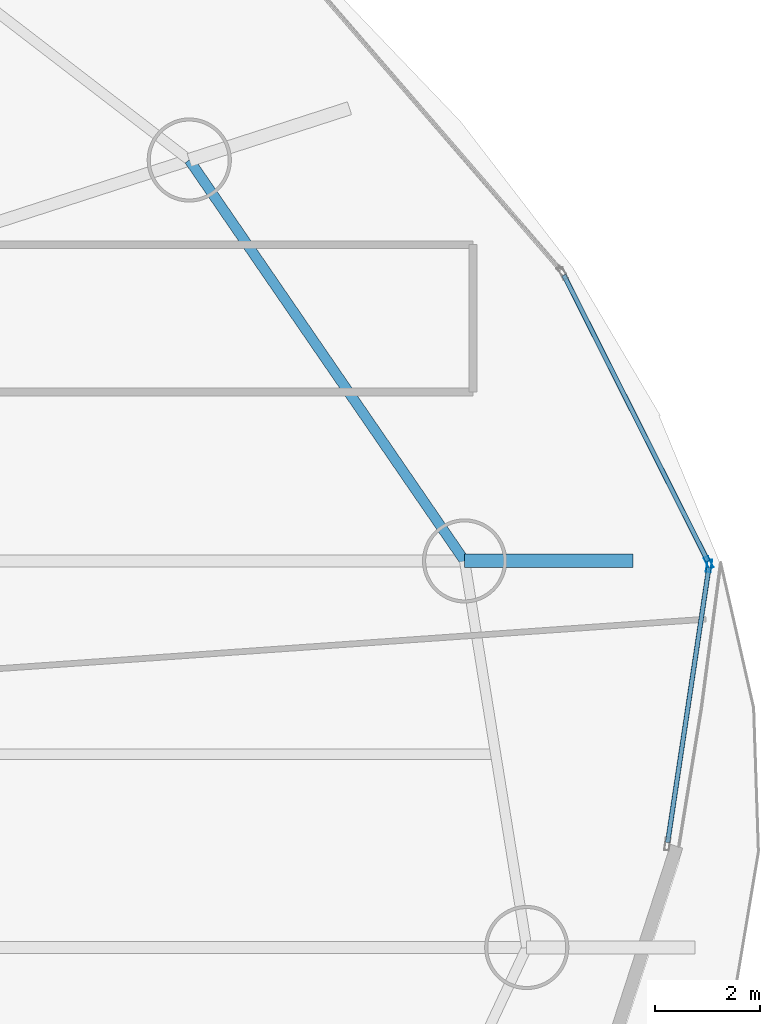
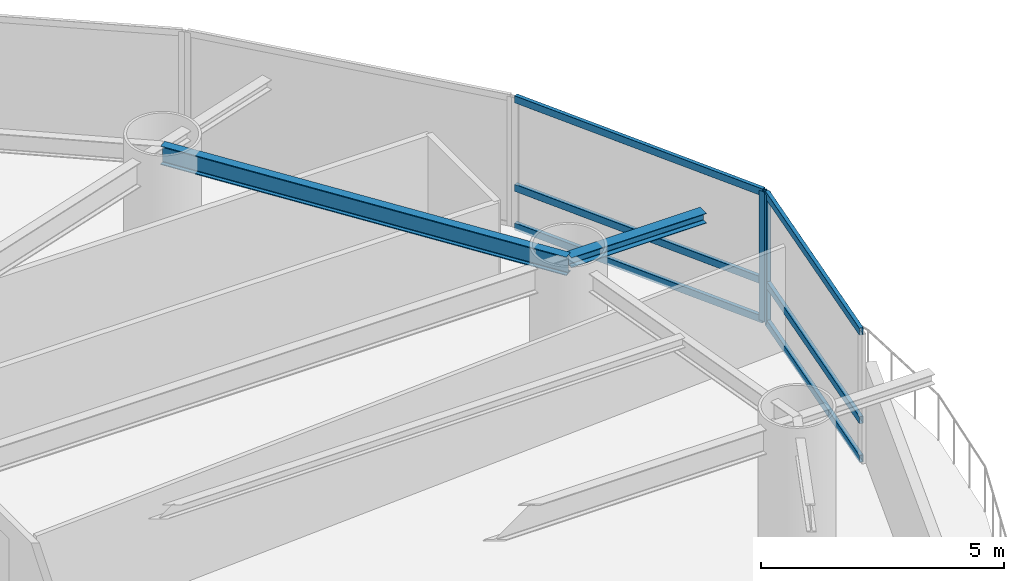
# One storey, part 10 of 26: 8 members, 2 beams, 2 elements without a shape of their own.
"""IFC4 building model written with IfcOpenShell, lengths in metres."""

from ifc_helpers import new_model, si_unit, direction, frame, origin, origin_2d, place, context, subcontext, project, spatial, hollow_rectangle, i_section, extrude, material, layer, layer_set, material_profile, profile_set, type_object, element, aggregate, save


model = new_model("IFC4")

# Units and contexts
model_context = context("Model", 3, precision=1e-05, world=origin(), true_north=direction((0.0, 1.0)))
body_context = subcontext(model_context, "Body", "Model", "MODEL_VIEW")
ifc_project = project(units=[si_unit("LENGTHUNIT", "METRE"), si_unit("AREAUNIT", "SQUARE_METRE"), si_unit("VOLUMEUNIT", "CUBIC_METRE"), si_unit("PLANEANGLEUNIT", "RADIAN"), si_unit("MASSUNIT", "GRAM", prefix="KILO")], contexts=[model_context])

# Site, building, storey
site_placement = place(None, origin())
site = spatial("IfcSite", under=ifc_project, at=site_placement, CompositionType="ELEMENT")
building_placement = place(site_placement, origin())
building = spatial("IfcBuilding", under=site, at=building_placement, Name="Bramvorn Convention Spire", CompositionType="ELEMENT")
storey_placement = place(building_placement, frame((0.0, 0.0, 51.89990234375)))
storey = spatial("IfcBuildingStorey", under=building, at=storey_placement, Name="L10", CompositionType="ELEMENT", Elevation=51.89990234375)

# Beams
ifc_material_1 = material(Name="Steel CSA G40.21 Grade 350 (350W)", Category="steel")
ifc_material_profile_1 = material_profile(ifc_material_1, i_section(OverallWidth=0.25390625, OverallDepth=0.2529296875, WebThickness=0.008544921875, FlangeThickness=0.01416015625, FilletRadius=0.011962890625, at=origin_2d()))
ifc_profile_set_1 = profile_set([ifc_material_profile_1], Name="Steel CSA G40.21 Grade 350 (350W) - W250X73")
beam_type_1 = type_object("IfcBeamType", Name="BM-W250X73", PredefinedType="BEAM", material=ifc_profile_set_1)
beam_1_placement = place(storey_placement, frame((65.338623046875, 29.340087890625, 3.12353515625), z_axis=(1.0, 0.0, 0.0), x_axis=(0.0, 1.0, 0.0)))
element("IfcBeam", 1, at=beam_1_placement, inside=storey, type_object=beam_type_1, Name="L10 slab-edge cantilever tip beam MC02", PredefinedType="BEAM", context=body_context, shape_type="SweptSolid", body=[
    extrude(i_section(OverallWidth=0.25390625, OverallDepth=0.2529296875, WebThickness=0.008544921875, FlangeThickness=0.01416015625, FilletRadius=0.011962890625, at=origin_2d()), origin(), (0.0, 0.0, 1.0), 3.199951171875),
])
ifc_material_profile_2 = material_profile(ifc_material_1, i_section(OverallWidth=0.194091796875, OverallDepth=0.468994140625, WebThickness=0.0126953125, FlangeThickness=0.0205078125, FilletRadius=0.01806640625, at=origin_2d()))
ifc_profile_set_2 = profile_set([ifc_material_profile_2], Name="Steel CSA G40.21 Grade 350 (350W) - W460X106")
beam_type_2 = type_object("IfcBeamType", Name="BM-W460X106", PredefinedType="SPANDREL", material=ifc_profile_set_2)
beam_2_placement = place(storey_placement, frame((65.338623046875, 29.340087890625, 3.015625), z_axis=(-0.566129730789, 0.824316157743, 0.0), x_axis=(-0.824316157743, -0.566129730789, 0.0)))
element("IfcBeam", 2, at=beam_2_placement, inside=storey, type_object=beam_type_2, Name="L10 mega-column ring beam 02", PredefinedType="SPANDREL", context=body_context, shape_type="SweptSolid", body=[
    extrude(i_section(OverallWidth=0.194091796875, OverallDepth=0.468994140625, WebThickness=0.0126953125, FlangeThickness=0.0205078125, FilletRadius=0.01806640625, at=origin_2d()), origin(), (0.0, 0.0, 1.0), 9.244140625),
])

# Curtain wall, member
ifc_material_2 = material(Name="Anodised Bronze Unitised Curtain Wall", Category="aluminium")
ifc_layer = layer(ifc_material_2, 0.219970703125)
ifc_layer_set = layer_set([ifc_layer], Name="Anodised Bronze Unitised Curtain Wall - CW-SKYGARDEN")
curtain_wall_type = type_object("IfcCurtainWallType", Name="CW-SKYGARDEN", PredefinedType="USERDEFINED", material=ifc_layer_set)
curtain_wall_1_placement = place(storey_placement, origin())
curtain_wall_1 = element("IfcCurtainWall", 3, at=curtain_wall_1_placement, inside=storey, type_object=curtain_wall_type, Name="L10 Sky Garden glazed facade 01", ObjectType="WINTER GARDEN GLAZING", PredefinedType="USERDEFINED")
ifc_material_3 = material(Name="Anodised Bronze Aluminium 6063-T6", Category="aluminium")
ifc_material_profile_3 = material_profile(ifc_material_3, hollow_rectangle(XDim=0.090087890625, YDim=0.239990234375, WallThickness=0.00439453125, InnerFilletRadius=0.0009765625, OuterFilletRadius=0.00439453125, at=origin_2d()))
ifc_profile_set_3 = profile_set([ifc_material_profile_3], Name="Anodised Bronze Aluminium 6063-T6 - CWM90X240")
member_type_1 = type_object("IfcMemberType", Name="CW-MUL-220", PredefinedType="MULLION", material=ifc_profile_set_3)
member_1_placement = place(storey_placement, frame((69.987060546875, 29.24853515625, 0.0), z_axis=(0.0, 0.0, 1.0), x_axis=(0.988951398815, -0.14824011192, 0.0)))
member_1 = element("IfcMember", 4, at=member_1_placement, type_object=member_type_1, Name="CW4 mullion 1", PredefinedType="MULLION", context=body_context, shape_type="SweptSolid", body=[
    extrude(hollow_rectangle(XDim=0.090087890625, YDim=0.239990234375, WallThickness=0.00439453125, InnerFilletRadius=0.0009765625, OuterFilletRadius=0.00439453125, at=origin_2d()), origin(), (0.0, 0.0, 1.0), 3.25),
])

curtain_wall_2_placement = place(storey_placement, origin())
curtain_wall_2 = element("IfcCurtainWall", 5, at=curtain_wall_2_placement, inside=storey, type_object=curtain_wall_type, Name="L10 Sky Garden glazed facade 02", ObjectType="WINTER GARDEN GLAZING", PredefinedType="USERDEFINED")
member_2_placement = place(storey_placement, frame((69.97802734375, 29.304931640625, 0.0), z_axis=(0.0, 0.0, 1.0), x_axis=(0.893206879573, 0.449645938805, 0.0)))
member_2 = element("IfcMember", 6, at=member_2_placement, type_object=member_type_1, Name="CW4 mullion 2", PredefinedType="MULLION", context=body_context, shape_type="SweptSolid", body=[
    extrude(hollow_rectangle(XDim=0.090087890625, YDim=0.239990234375, WallThickness=0.00439453125, InnerFilletRadius=0.0009765625, OuterFilletRadius=0.00439453125, at=origin_2d()), origin(), (0.0, 0.0, 1.0), 3.25),
])

# Member
ifc_material_profile_4 = material_profile(ifc_material_3, hollow_rectangle(XDim=0.090087890625, YDim=0.179931640625, WallThickness=0.00439453125, InnerFilletRadius=0.0009765625, OuterFilletRadius=0.00439453125, at=origin_2d()))
ifc_profile_set_4 = profile_set([ifc_material_profile_4], Name="Anodised Bronze Aluminium 6063-T6 - CWT90X180")
member_type_2 = type_object("IfcMemberType", Name="CW-TRN-180", PredefinedType="USERDEFINED", material=ifc_profile_set_4)
member_3_placement = place(storey_placement, frame((69.982666015625, 29.21875, 0.030029296875), z_axis=(-0.148254684789, -0.988949214287, 0.0), x_axis=(0.988949214287, -0.148254684789, 0.0)))
member_3 = element("IfcMember", 7, at=member_3_placement, type_object=member_type_2, Name="CW4 transom 1.1", ObjectType="TRANSOM", PredefinedType="USERDEFINED", context=body_context, shape_type="SweptSolid", body=[
    extrude(hollow_rectangle(XDim=0.090087890625, YDim=0.179931640625, WallThickness=0.00439453125, InnerFilletRadius=0.0009765625, OuterFilletRadius=0.00439453125, at=origin_2d()), origin(), (0.0, 0.0, 1.0), 5.289306640625),
])

member_4_placement = place(storey_placement, frame((69.982666015625, 29.21875, 1.0), z_axis=(-0.148254684789, -0.988949214287, 0.0), x_axis=(0.988949214287, -0.148254684789, 0.0)))
member_4 = element("IfcMember", 8, at=member_4_placement, type_object=member_type_2, Name="CW4 transom 1.2", ObjectType="TRANSOM", PredefinedType="USERDEFINED", context=body_context, shape_type="SweptSolid", body=[
    extrude(hollow_rectangle(XDim=0.090087890625, YDim=0.179931640625, WallThickness=0.00439453125, InnerFilletRadius=0.0009765625, OuterFilletRadius=0.00439453125, at=origin_2d()), origin(), (0.0, 0.0, 1.0), 5.289306640625),
])

member_5_placement = place(storey_placement, frame((69.982666015625, 29.21875, 3.22021484375), z_axis=(-0.148254684789, -0.988949214287, 0.0), x_axis=(0.988949214287, -0.148254684789, 0.0)))
member_5 = element("IfcMember", 9, at=member_5_placement, type_object=member_type_2, Name="CW4 transom 1.3", ObjectType="TRANSOM", PredefinedType="USERDEFINED", context=body_context, shape_type="SweptSolid", body=[
    extrude(hollow_rectangle(XDim=0.090087890625, YDim=0.179931640625, WallThickness=0.00439453125, InnerFilletRadius=0.0009765625, OuterFilletRadius=0.00439453125, at=origin_2d()), origin(), (0.0, 0.0, 1.0), 5.289306640625),
])

aggregate(curtain_wall_1, [member_1, member_3, member_4, member_5])

member_6_placement = place(storey_placement, frame((67.225341796875, 34.773193359375, 0.030029296875), z_axis=(0.449648534169, -0.893205573045, 0.0), x_axis=(0.893205573045, 0.449648534169, 0.0)))
member_6 = element("IfcMember", 10, at=member_6_placement, type_object=member_type_2, Name="CW4 transom 1.1", ObjectType="TRANSOM", PredefinedType="USERDEFINED", context=body_context, shape_type="SweptSolid", body=[
    extrude(hollow_rectangle(XDim=0.090087890625, YDim=0.179931640625, WallThickness=0.00439453125, InnerFilletRadius=0.0009765625, OuterFilletRadius=0.00439453125, at=origin_2d()), origin(), (0.0, 0.0, 1.0), 6.092041015625),
])

member_7_placement = place(storey_placement, frame((67.225341796875, 34.773193359375, 1.0), z_axis=(0.449648534169, -0.893205573045, 0.0), x_axis=(0.893205573045, 0.449648534169, 0.0)))
member_7 = element("IfcMember", 11, at=member_7_placement, type_object=member_type_2, Name="CW4 transom 1.2", ObjectType="TRANSOM", PredefinedType="USERDEFINED", context=body_context, shape_type="SweptSolid", body=[
    extrude(hollow_rectangle(XDim=0.090087890625, YDim=0.179931640625, WallThickness=0.00439453125, InnerFilletRadius=0.0009765625, OuterFilletRadius=0.00439453125, at=origin_2d()), origin(), (0.0, 0.0, 1.0), 6.092041015625),
])

member_8_placement = place(storey_placement, frame((67.225341796875, 34.773193359375, 3.22021484375), z_axis=(0.449648534169, -0.893205573045, 0.0), x_axis=(0.893205573045, 0.449648534169, 0.0)))
member_8 = element("IfcMember", 12, at=member_8_placement, type_object=member_type_2, Name="CW4 transom 1.3", ObjectType="TRANSOM", PredefinedType="USERDEFINED", context=body_context, shape_type="SweptSolid", body=[
    extrude(hollow_rectangle(XDim=0.090087890625, YDim=0.179931640625, WallThickness=0.00439453125, InnerFilletRadius=0.0009765625, OuterFilletRadius=0.00439453125, at=origin_2d()), origin(), (0.0, 0.0, 1.0), 6.092041015625),
])

aggregate(curtain_wall_2, [member_2, member_6, member_7, member_8])

save(model, "model.ifc")
